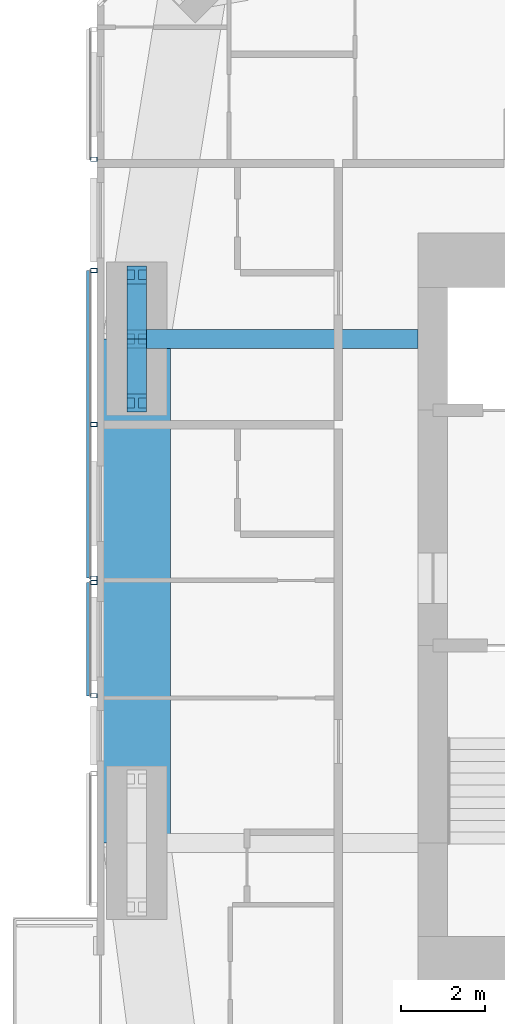
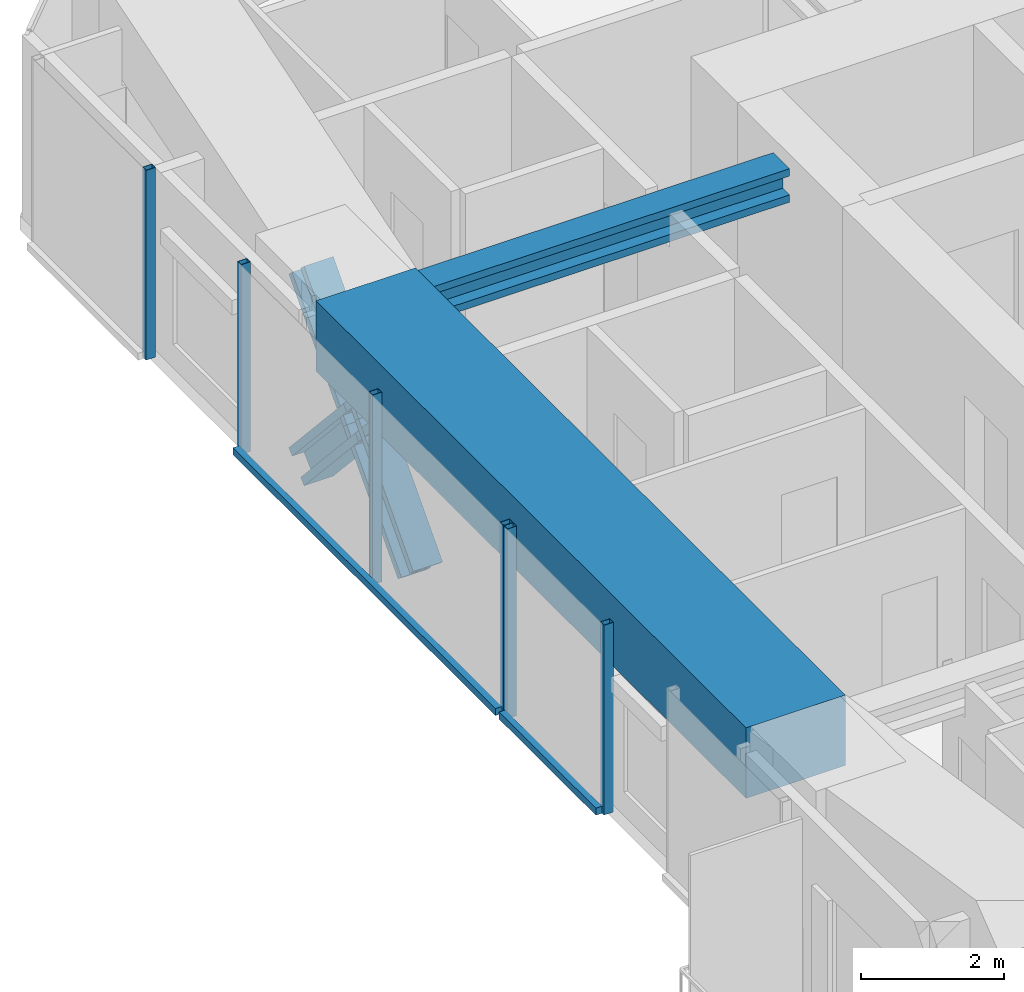
# One storey, part 5 of 22: 12 members, 2 beams, 3 elements without a shape of their own.
"""IFC4 building model written with IfcOpenShell, lengths in metres."""

from ifc_helpers import new_model, si_unit, direction, frame, origin, origin_2d, place, context, subcontext, project, spatial, rectangle, hollow_rectangle, i_section, extrude, material, material_profile, profile_set, type_object, element, aggregate, save


model = new_model("IFC4")

# Units and contexts
model_context = context("Model", 3, precision=1e-05, world=origin(), true_north=direction((0.0, 1.0)))
body_context = subcontext(model_context, "Body", "Model", "MODEL_VIEW")
ifc_project = project(units=[si_unit("LENGTHUNIT", "METRE"), si_unit("AREAUNIT", "SQUARE_METRE"), si_unit("VOLUMEUNIT", "CUBIC_METRE"), si_unit("PLANEANGLEUNIT", "RADIAN"), si_unit("MASSUNIT", "GRAM", prefix="KILO")], contexts=[model_context])

# Site, building, storey
site_placement = place(None, origin())
site = spatial("IfcSite", under=ifc_project, at=site_placement, CompositionType="ELEMENT")
building_placement = place(site_placement, origin())
building = spatial("IfcBuilding", under=site, at=building_placement, Name="Jalousie Tower", CompositionType="ELEMENT")
storey_placement = place(building_placement, frame((0.0, 0.0, 201.25)))
storey = spatial("IfcBuildingStorey", under=building, at=storey_placement, Name="L55", CompositionType="ELEMENT", Elevation=201.25)

# Beam
ifc_material_1 = material(Name="Steel ASTM A992 Grade 50", Category="steel")
ifc_material_profile_1 = material_profile(ifc_material_1, i_section(OverallWidth=0.45458984375, OverallDepth=0.569091796875, WebThickness=0.077880859375, FlangeThickness=0.124755859375, at=origin_2d()), Name="W14X730")
ifc_profile_set_1 = profile_set([ifc_material_profile_1], Name="Steel ASTM A992 Grade 50")
beam_type_1 = type_object("IfcBeamType", Name="LEAN COLLECTOR W14X730", PredefinedType="BEAM", material=ifc_profile_set_1)
beam_1_placement = place(storey_placement, frame((12.949951171875, 25.0, 2.825439453125), z_axis=(1.0, 0.0, 0.0), x_axis=(0.0, 1.0, 0.0)))
element("IfcBeam", 1, at=beam_1_placement, inside=storey, type_object=beam_type_1, Name="Lean collector under L56", PredefinedType="BEAM", context=body_context, shape_type="SweptSolid", body=[
    extrude(i_section(OverallWidth=0.45458984375, OverallDepth=0.569091796875, WebThickness=0.077880859375, FlangeThickness=0.124755859375, at=origin_2d()), origin(), (0.0, 0.0, 1.0), 6.699951171875),
])

# Members
ifc_material_2 = material(Name="Steel ASTM A992 Grade 50", Category="steel")
ifc_material_profile_2 = material_profile(ifc_material_2, i_section(OverallWidth=0.472412109375, OverallDepth=0.5791015625, WebThickness=0.094970703125, FlangeThickness=0.1298828125, at=origin_2d()), Name="W14X808")
ifc_profile_set_2 = profile_set([ifc_material_profile_2], Name="Steel ASTM A992 Grade 50")
member_type_1 = type_object("IfcMemberType", Name="PERIMETER BRACE W14X808", PredefinedType="BRACE", material=ifc_profile_set_2)
for number, where, z_axis, x_axis, name in (
    (2, (12.949951171875, 23.47509765625, -0.60009765625), (0.0, 0.673187629365, 0.739471713908), (-1.0, 0.0, 0.0), "Perimeter brace 13 L55 part 1"),
    (3, (12.949951171875, 25.0, 1.074951171875), (0.0, 0.673187629365, 0.739471713908), (-1.0, 0.0, 0.0), "Perimeter brace 13 L55 part 2"),
    (4, (12.949951171875, 26.52490234375, -0.60009765625), (0.0, -0.673187629365, 0.739471713908), (1.0, 0.0, 0.0), "Perimeter brace 13 L55 part 3"),
    (5, (12.949951171875, 25.0, 1.074951171875), (0.0, -0.673187629365, 0.739471713908), (1.0, 0.0, 0.0), "Perimeter brace 13 L55 part 4"),
):
    element("IfcMember", number, at=place(storey_placement, frame(where, z_axis=z_axis, x_axis=x_axis)), inside=storey, type_object=member_type_1, Name=name, PredefinedType="BRACE", context=body_context, shape_type="SweptSolid", body=[
        extrude(i_section(OverallWidth=0.472412109375, OverallDepth=0.5791015625, WebThickness=0.094970703125, FlangeThickness=0.1298828125, at=origin_2d()), origin(), (0.0, 0.0, 1.0), 2.26513671875),
    ])

# Beam
ifc_material_3 = material(Name="Concrete f'c 40 MPa", Category="concrete")
ifc_material_profile_3 = material_profile(ifc_material_3, rectangle(XDim=1.60009765625, YDim=1.199951171875, at=origin_2d()), Name="RC 1600x1200")
ifc_profile_set_3 = profile_set([ifc_material_profile_3], Name="Concrete f'c 40 MPa")
beam_type_2 = type_object("IfcBeamType", Name="RC BEAM 1600x1200", PredefinedType="BEAM", material=ifc_profile_set_3)
beam_2_placement = place(storey_placement, frame((12.949951171875, 25.0, 2.75), z_axis=(0.0, -1.0, 0.0), x_axis=(1.0, 0.0, 0.0)))
element("IfcBeam", 6, at=beam_2_placement, inside=storey, type_object=beam_type_2, Name="Edge band beam 13-14 under L56", PredefinedType="BEAM", context=body_context, shape_type="SweptSolid", body=[
    extrude(rectangle(XDim=1.60009765625, YDim=1.199951171875, at=origin_2d()), origin(), (0.0, 0.0, 1.0), 12.0),
])

# Curtain wall, member
ifc_material_4 = material(Name="Perforated aluminium sheet", Category="aluminium")
curtain_wall_type = type_object("IfcCurtainWallType", Name="SOLAR SCREEN SS-1", PredefinedType="USERDEFINED", material=ifc_material_4)
curtain_wall_1_placement = place(storey_placement, origin())
curtain_wall_1 = element("IfcCurtainWall", 7, at=curtain_wall_1_placement, inside=storey, type_object=curtain_wall_type, Name="Solar screen L55", ObjectType="SOLAR SCREEN SS-1", PredefinedType="USERDEFINED")
ifc_material_5 = material(Name="Steel ASTM A500 Grade C", Category="steel")
ifc_material_profile_4 = material_profile(ifc_material_5, hollow_rectangle(XDim=0.1015625, YDim=0.15234375, WallThickness=0.00634765625, at=origin_2d()), Name="HSS6X4X1/4")
ifc_profile_set_4 = profile_set([ifc_material_profile_4], Name="Steel ASTM A500 Grade C")
member_type_2 = type_object("IfcMemberType", Name="SOLAR SCREEN SS-1 MULLION", PredefinedType="MULLION", material=ifc_profile_set_4)
member_1_placement = place(storey_placement, frame((11.9287109375, 29.27490234375, -0.1201171875), z_axis=(0.0, 0.0, 1.0), x_axis=(0.0, -1.0, 0.0)))
member_1 = element("IfcMember", 8, at=member_1_placement, type_object=member_type_2, Name="SS1 post 2", PredefinedType="MULLION", context=body_context, shape_type="SweptSolid", body=[
    extrude(hollow_rectangle(XDim=0.1015625, YDim=0.15234375, WallThickness=0.00634765625, at=origin_2d()), origin(), (0.0, 0.0, 1.0), 3.230224609375),
])
aggregate(curtain_wall_1, [member_1])

# Curtain wall, members
curtain_wall_2_placement = place(storey_placement, origin())
curtain_wall_2 = element("IfcCurtainWall", 9, at=curtain_wall_2_placement, inside=storey, type_object=curtain_wall_type, Name="Solar screen L55", ObjectType="SOLAR SCREEN SS-1", PredefinedType="USERDEFINED")
member_2_placement = place(storey_placement, frame((11.9287109375, 26.625, -0.1201171875), z_axis=(0.0, 0.0, 1.0), x_axis=(0.0, -1.0, 0.0)))
member_2 = element("IfcMember", 10, at=member_2_placement, type_object=member_type_2, Name="SS1 post 1", PredefinedType="MULLION", context=body_context, shape_type="SweptSolid", body=[
    extrude(hollow_rectangle(XDim=0.1015625, YDim=0.15234375, WallThickness=0.00634765625, at=origin_2d()), origin(), (0.0, 0.0, 1.0), 3.230224609375),
])
member_3_placement = place(storey_placement, frame((11.9287109375, 22.96240234375, -0.1201171875), z_axis=(0.0, 0.0, 1.0), x_axis=(0.0, -1.0, 0.0)))
member_3 = element("IfcMember", 11, at=member_3_placement, type_object=member_type_2, Name="SS1 post 2", PredefinedType="MULLION", context=body_context, shape_type="SweptSolid", body=[
    extrude(hollow_rectangle(XDim=0.1015625, YDim=0.15234375, WallThickness=0.00634765625, at=origin_2d()), origin(), (0.0, 0.0, 1.0), 3.230224609375),
])
member_4_placement = place(storey_placement, frame((11.9287109375, 19.300048828125, -0.1201171875), z_axis=(0.0, 0.0, 1.0), x_axis=(0.0, -1.0, 0.0)))
member_4 = element("IfcMember", 12, at=member_4_placement, type_object=member_type_2, Name="SS1 post 3", PredefinedType="MULLION", context=body_context, shape_type="SweptSolid", body=[
    extrude(hollow_rectangle(XDim=0.1015625, YDim=0.15234375, WallThickness=0.00634765625, at=origin_2d()), origin(), (0.0, 0.0, 1.0), 3.230224609375),
])

curtain_wall_3_placement = place(storey_placement, origin())
curtain_wall_3 = element("IfcCurtainWall", 13, at=curtain_wall_3_placement, inside=storey, type_object=curtain_wall_type, Name="Solar screen L55", ObjectType="SOLAR SCREEN SS-1", PredefinedType="USERDEFINED")
member_5_placement = place(storey_placement, frame((11.9287109375, 19.199951171875, -0.1201171875), z_axis=(0.0, 0.0, 1.0), x_axis=(0.0, -1.0, 0.0)))
member_5 = element("IfcMember", 14, at=member_5_placement, type_object=member_type_2, Name="SS1 post 1", PredefinedType="MULLION", context=body_context, shape_type="SweptSolid", body=[
    extrude(hollow_rectangle(XDim=0.1015625, YDim=0.15234375, WallThickness=0.00634765625, at=origin_2d()), origin(), (0.0, 0.0, 1.0), 3.230224609375),
])
member_6_placement = place(storey_placement, frame((11.9287109375, 16.5, -0.1201171875), z_axis=(0.0, 0.0, 1.0), x_axis=(0.0, -1.0, 0.0)))
member_6 = element("IfcMember", 15, at=member_6_placement, type_object=member_type_2, Name="SS1 post 2", PredefinedType="MULLION", context=body_context, shape_type="SweptSolid", body=[
    extrude(hollow_rectangle(XDim=0.1015625, YDim=0.15234375, WallThickness=0.00634765625, at=origin_2d()), origin(), (0.0, 0.0, 1.0), 3.230224609375),
])

# Member
ifc_material_6 = material(Name="Extruded aluminium screen rail", Category="aluminium")
ifc_material_profile_5 = material_profile(ifc_material_6, rectangle(XDim=0.1015625, YDim=0.1201171875, at=origin_2d()), Name="RAIL 102x120")
ifc_profile_set_5 = profile_set([ifc_material_profile_5], Name="Extruded aluminium screen rail")
member_type_3 = type_object("IfcMemberType", Name="SOLAR SCREEN SS-1 TRANSOM", PredefinedType="USERDEFINED", material=ifc_profile_set_5)
member_7_placement = place(storey_placement, frame((11.8017578125, 26.625, -0.06005859375), z_axis=(0.0, -1.0, 0.0), x_axis=(1.0, 0.0, 0.0)))
member_7 = element("IfcMember", 16, at=member_7_placement, type_object=member_type_3, Name="SS1 rail", ObjectType="TRANSOM", PredefinedType="USERDEFINED", context=body_context, shape_type="SweptSolid", body=[
    extrude(rectangle(XDim=0.1015625, YDim=0.1201171875, at=origin_2d()), origin(), (0.0, 0.0, 1.0), 7.324951171875),
])

aggregate(curtain_wall_2, [member_2, member_3, member_4, member_7])

member_8_placement = place(storey_placement, frame((11.8017578125, 19.199951171875, -0.06005859375), z_axis=(0.0, -1.0, 0.0), x_axis=(1.0, 0.0, 0.0)))
member_8 = element("IfcMember", 17, at=member_8_placement, type_object=member_type_3, Name="SS1 rail", ObjectType="TRANSOM", PredefinedType="USERDEFINED", context=body_context, shape_type="SweptSolid", body=[
    extrude(rectangle(XDim=0.1015625, YDim=0.1201171875, at=origin_2d()), origin(), (0.0, 0.0, 1.0), 2.699951171875),
])

aggregate(curtain_wall_3, [member_5, member_6, member_8])

save(model, "model.ifc")
